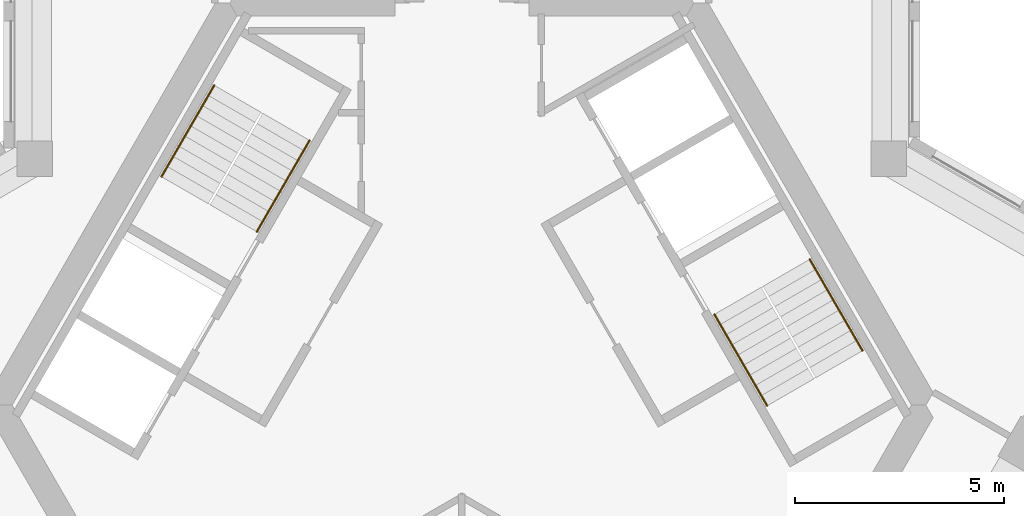
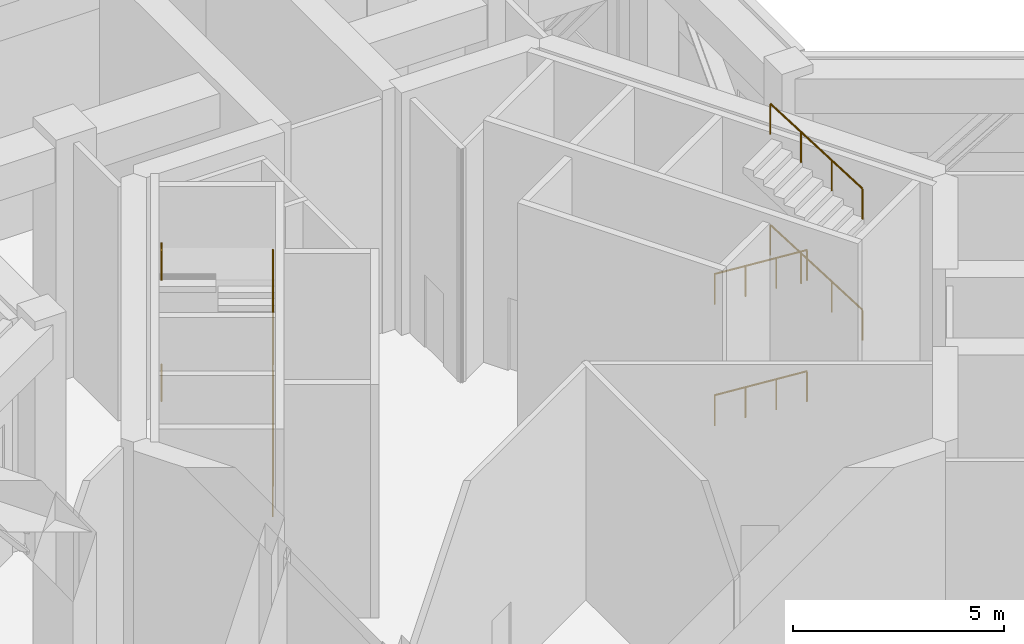
# One storey, part 12 of 12: 8 railings.
"""IFC4 building model written with IfcOpenShell, lengths in metres."""

from ifc_helpers import new_model, si_unit, direction, frame, origin, origin_2d, place, context, subcontext, project, spatial, circle, extrude, material, type_object, element, save


model = new_model("IFC4")

# Units and contexts
model_context = context("Model", 3, precision=1e-05, world=origin(), true_north=direction((0.0, 1.0)))
body_context = subcontext(model_context, "Body", "Model", "MODEL_VIEW")
ifc_project = project(units=[si_unit("LENGTHUNIT", "METRE"), si_unit("AREAUNIT", "SQUARE_METRE"), si_unit("VOLUMEUNIT", "CUBIC_METRE"), si_unit("PLANEANGLEUNIT", "RADIAN"), si_unit("MASSUNIT", "GRAM", prefix="KILO")], contexts=[model_context])

# Site, building, storey
site_placement = place(None, origin())
site = spatial("IfcSite", under=ifc_project, at=site_placement, CompositionType="ELEMENT")
building_placement = place(site_placement, origin())
building = spatial("IfcBuilding", under=site, at=building_placement, Name="Kosmar Iwan School Tower", CompositionType="ELEMENT")
storey_placement = place(building_placement, frame((0.0, 0.0, 260.39990234375)))
storey = spatial("IfcBuildingStorey", under=building, at=storey_placement, Name="L66", CompositionType="ELEMENT", Elevation=260.39990234375)

# Railings
ifc_material = material(Name="Black steel", Category="steel")
railing_type = type_object("IfcRailingType", Name="Stair handrail 900", PredefinedType="HANDRAIL", material=ifc_material)
railing_1_placement = place(storey_placement, frame((-4.89453125, 4.142333984375, 0.175048828125)))
element("IfcRailing", 1, at=railing_1_placement, inside=storey, type_object=railing_type, Name="Handrail ST2 flight 1", PredefinedType="HANDRAIL", context=body_context, shape_type="SweptSolid", body=[
    extrude(circle(Radius=0.02392578125, at=origin_2d()), frame((0.0, 0.0, 0.8759765625), z_axis=(0.42400668935, 0.73439174503, 0.529987822708), x_axis=(-0.866022637375, 0.500004791531, 0.0)), (0.0, 0.0, 1.0), 2.9716796875),
    extrude(circle(Radius=0.02099609375, at=origin_2d()), origin(), (0.0, 0.0, 1.0), 0.851806640625),
    extrude(circle(Radius=0.02099609375, at=origin_2d()), frame((0.419921875, 0.7275390625, 0.52490234375)), (0.0, 0.0, 1.0), 0.851806640625),
    extrude(circle(Radius=0.02099609375, at=origin_2d()), frame((0.840087890625, 1.454833984375, 1.050048828125)), (0.0, 0.0, 1.0), 0.851806640625),
    extrude(circle(Radius=0.02099609375, at=origin_2d()), frame((1.260009765625, 2.182373046875, 1.574951171875)), (0.0, 0.0, 1.0), 0.851806640625),
])
railing_2_placement = place(storey_placement, frame((-5.912353515625, 7.6396484375, 1.925048828125)))
element("IfcRailing", 2, at=railing_2_placement, inside=storey, type_object=railing_type, Name="Handrail ST2 flight 2", PredefinedType="HANDRAIL", context=body_context, shape_type="SweptSolid", body=[
    extrude(circle(Radius=0.02392578125, at=origin_2d()), frame((0.0, 0.0, 0.8759765625), z_axis=(-0.42400668935, -0.73439174503, 0.529987822708), x_axis=(0.866022637375, -0.500004791531, 0.0)), (0.0, 0.0, 1.0), 2.9716796875),
    extrude(circle(Radius=0.02099609375, at=origin_2d()), origin(), (0.0, 0.0, 1.0), 0.851806640625),
    extrude(circle(Radius=0.02099609375, at=origin_2d()), frame((-0.419921875, -0.7275390625, 0.52490234375)), (0.0, 0.0, 1.0), 0.851806640625),
    extrude(circle(Radius=0.02099609375, at=origin_2d()), frame((-0.840087890625, -1.454833984375, 1.050048828125)), (0.0, 0.0, 1.0), 0.851806640625),
    extrude(circle(Radius=0.02099609375, at=origin_2d()), frame((-1.260009765625, -2.182373046875, 1.574951171875)), (0.0, 0.0, 1.0), 0.851806640625),
])
railing_3_placement = place(storey_placement, frame((-4.89453125, 4.142333984375, 3.675048828125)))
element("IfcRailing", 3, at=railing_3_placement, inside=storey, type_object=railing_type, Name="Handrail ST2 flight 3", PredefinedType="HANDRAIL", context=body_context, shape_type="SweptSolid", body=[
    extrude(circle(Radius=0.02392578125, at=origin_2d()), frame((0.0, 0.0, 0.8759765625), z_axis=(0.42400668935, 0.73439174503, 0.529987822708), x_axis=(-0.866022637375, 0.500004791531, 0.0)), (0.0, 0.0, 1.0), 2.9716796875),
    extrude(circle(Radius=0.02099609375, at=origin_2d()), origin(), (0.0, 0.0, 1.0), 0.851806640625),
    extrude(circle(Radius=0.02099609375, at=origin_2d()), frame((0.419921875, 0.7275390625, 0.52490234375)), (0.0, 0.0, 1.0), 0.851806640625),
    extrude(circle(Radius=0.02099609375, at=origin_2d()), frame((0.840087890625, 1.454833984375, 1.050048828125)), (0.0, 0.0, 1.0), 0.851806640625),
    extrude(circle(Radius=0.02099609375, at=origin_2d()), frame((1.260009765625, 2.182373046875, 1.574951171875)), (0.0, 0.0, 1.0), 0.851806640625),
])
railing_4_placement = place(storey_placement, frame((-5.912353515625, 7.6396484375, 5.425048828125)))
element("IfcRailing", 4, at=railing_4_placement, inside=storey, type_object=railing_type, Name="Handrail ST2 flight 4", PredefinedType="HANDRAIL", context=body_context, shape_type="SweptSolid", body=[
    extrude(circle(Radius=0.02392578125, at=origin_2d()), frame((0.0, 0.0, 0.8759765625), z_axis=(-0.42400668935, -0.73439174503, 0.529987822708), x_axis=(0.866022637375, -0.500004791531, 0.0)), (0.0, 0.0, 1.0), 2.9716796875),
    extrude(circle(Radius=0.02099609375, at=origin_2d()), origin(), (0.0, 0.0, 1.0), 0.851806640625),
    extrude(circle(Radius=0.02099609375, at=origin_2d()), frame((-0.419921875, -0.7275390625, 0.52490234375)), (0.0, 0.0, 1.0), 0.851806640625),
    extrude(circle(Radius=0.02099609375, at=origin_2d()), frame((-0.840087890625, -1.454833984375, 1.050048828125)), (0.0, 0.0, 1.0), 0.851806640625),
    extrude(circle(Radius=0.02099609375, at=origin_2d()), frame((-1.260009765625, -2.182373046875, 1.574951171875)), (0.0, 0.0, 1.0), 0.851806640625),
])
railing_5_placement = place(storey_placement, frame((6.03466796875, 2.167724609375, 0.175048828125)))
element("IfcRailing", 5, at=railing_5_placement, inside=storey, type_object=railing_type, Name="Handrail ST1 flight 1", PredefinedType="HANDRAIL", context=body_context, shape_type="SweptSolid", body=[
    extrude(circle(Radius=0.02392578125, at=origin_2d()), frame((0.0, 0.0, 0.8759765625), z_axis=(0.42400668935, -0.73439174503, 0.529987822708), x_axis=(0.866022637375, 0.500004791531, 0.0)), (0.0, 0.0, 1.0), 2.9716796875),
    extrude(circle(Radius=0.02099609375, at=origin_2d()), origin(), (0.0, 0.0, 1.0), 0.851806640625),
    extrude(circle(Radius=0.02099609375, at=origin_2d()), frame((0.419921875, -0.7275390625, 0.52490234375)), (0.0, 0.0, 1.0), 0.851806640625),
    extrude(circle(Radius=0.02099609375, at=origin_2d()), frame((0.840087890625, -1.454833984375, 1.050048828125)), (0.0, 0.0, 1.0), 0.851806640625),
    extrude(circle(Radius=0.02099609375, at=origin_2d()), frame((1.260009765625, -2.182373046875, 1.574951171875)), (0.0, 0.0, 1.0), 0.851806640625),
])
railing_6_placement = place(storey_placement, frame((9.572265625, 1.30029296875, 1.925048828125)))
element("IfcRailing", 6, at=railing_6_placement, inside=storey, type_object=railing_type, Name="Handrail ST1 flight 2", PredefinedType="HANDRAIL", context=body_context, shape_type="SweptSolid", body=[
    extrude(circle(Radius=0.02392578125, at=origin_2d()), frame((0.0, 0.0, 0.8759765625), z_axis=(-0.42400668935, 0.73439174503, 0.529987822708), x_axis=(-0.866022637375, -0.500004791531, 0.0)), (0.0, 0.0, 1.0), 2.9716796875),
    extrude(circle(Radius=0.02099609375, at=origin_2d()), origin(), (0.0, 0.0, 1.0), 0.851806640625),
    extrude(circle(Radius=0.02099609375, at=origin_2d()), frame((-0.419921875, 0.7275390625, 0.52490234375)), (0.0, 0.0, 1.0), 0.851806640625),
    extrude(circle(Radius=0.02099609375, at=origin_2d()), frame((-0.840087890625, 1.454833984375, 1.050048828125)), (0.0, 0.0, 1.0), 0.851806640625),
    extrude(circle(Radius=0.02099609375, at=origin_2d()), frame((-1.260009765625, 2.182373046875, 1.574951171875)), (0.0, 0.0, 1.0), 0.851806640625),
])
railing_7_placement = place(storey_placement, frame((6.03466796875, 2.167724609375, 3.675048828125)))
element("IfcRailing", 7, at=railing_7_placement, inside=storey, type_object=railing_type, Name="Handrail ST1 flight 3", PredefinedType="HANDRAIL", context=body_context, shape_type="SweptSolid", body=[
    extrude(circle(Radius=0.02392578125, at=origin_2d()), frame((0.0, 0.0, 0.8759765625), z_axis=(0.42400668935, -0.73439174503, 0.529987822708), x_axis=(0.866022637375, 0.500004791531, 0.0)), (0.0, 0.0, 1.0), 2.9716796875),
    extrude(circle(Radius=0.02099609375, at=origin_2d()), origin(), (0.0, 0.0, 1.0), 0.851806640625),
    extrude(circle(Radius=0.02099609375, at=origin_2d()), frame((0.419921875, -0.7275390625, 0.52490234375)), (0.0, 0.0, 1.0), 0.851806640625),
    extrude(circle(Radius=0.02099609375, at=origin_2d()), frame((0.840087890625, -1.454833984375, 1.050048828125)), (0.0, 0.0, 1.0), 0.851806640625),
    extrude(circle(Radius=0.02099609375, at=origin_2d()), frame((1.260009765625, -2.182373046875, 1.574951171875)), (0.0, 0.0, 1.0), 0.851806640625),
])
railing_8_placement = place(storey_placement, frame((9.572265625, 1.30029296875, 5.425048828125)))
element("IfcRailing", 8, at=railing_8_placement, inside=storey, type_object=railing_type, Name="Handrail ST1 flight 4", PredefinedType="HANDRAIL", context=body_context, shape_type="SweptSolid", body=[
    extrude(circle(Radius=0.02392578125, at=origin_2d()), frame((0.0, 0.0, 0.8759765625), z_axis=(-0.42400668935, 0.73439174503, 0.529987822708), x_axis=(-0.866022637375, -0.500004791531, 0.0)), (0.0, 0.0, 1.0), 2.9716796875),
    extrude(circle(Radius=0.02099609375, at=origin_2d()), origin(), (0.0, 0.0, 1.0), 0.851806640625),
    extrude(circle(Radius=0.02099609375, at=origin_2d()), frame((-0.419921875, 0.7275390625, 0.52490234375)), (0.0, 0.0, 1.0), 0.851806640625),
    extrude(circle(Radius=0.02099609375, at=origin_2d()), frame((-0.840087890625, 1.454833984375, 1.050048828125)), (0.0, 0.0, 1.0), 0.851806640625),
    extrude(circle(Radius=0.02099609375, at=origin_2d()), frame((-1.260009765625, 2.182373046875, 1.574951171875)), (0.0, 0.0, 1.0), 0.851806640625),
])

save(model, "model.ifc")
